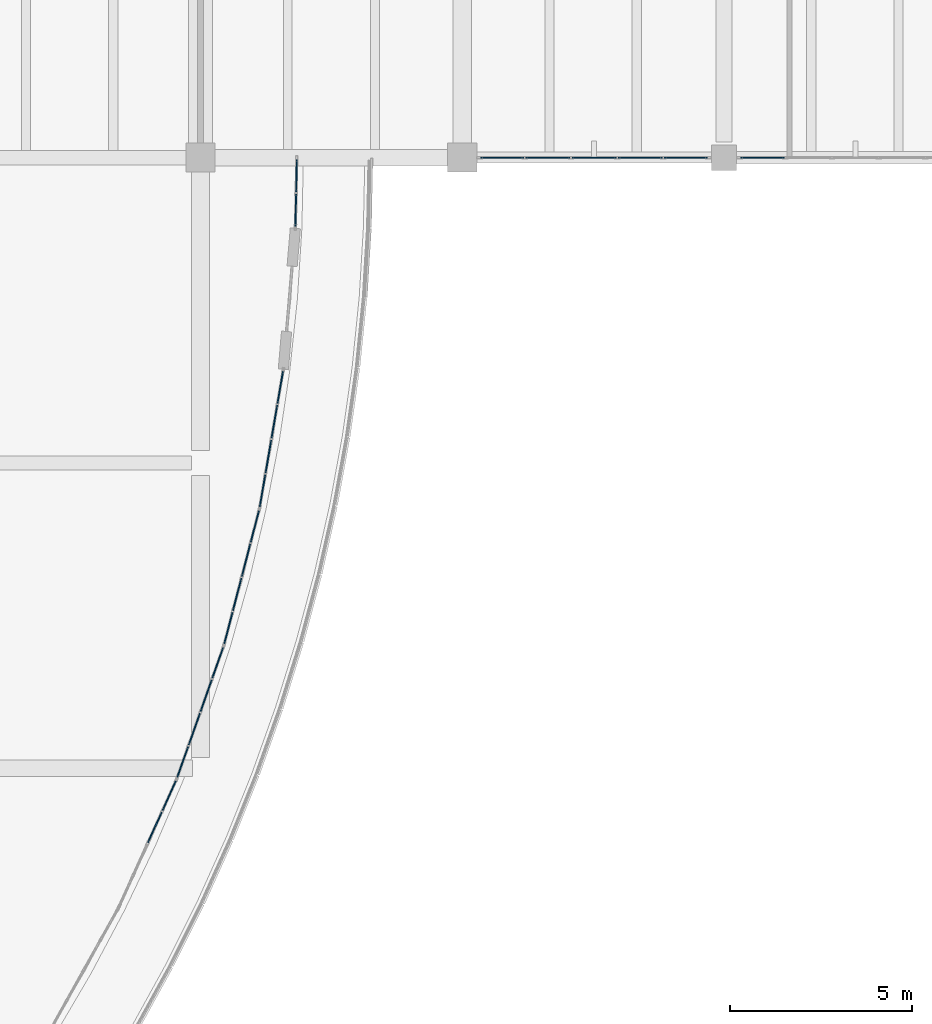
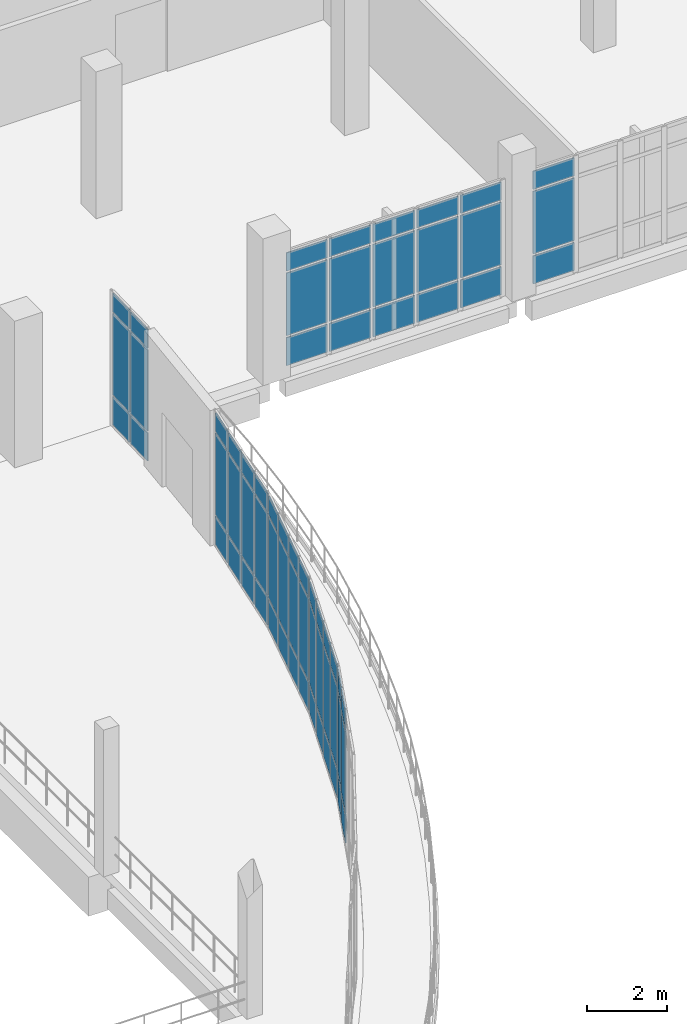
# One storey, part 96 of 116: 66 plates, 7 elements without a shape of their own.
"""IFC4 building model written with IfcOpenShell, lengths in metres."""

from ifc_helpers import new_model, si_unit, direction, frame, origin, origin_2d, place, context, subcontext, project, spatial, rectangle, extrude, material, layer, layer_set, type_object, element, aggregate, save


model = new_model("IFC4")

# Units and contexts
model_context = context("Model", 3, precision=1e-05, world=origin(), true_north=direction((0.0, 1.0)))
body_context = subcontext(model_context, "Body", "Model", "MODEL_VIEW")
ifc_project = project(units=[si_unit("LENGTHUNIT", "METRE"), si_unit("AREAUNIT", "SQUARE_METRE"), si_unit("VOLUMEUNIT", "CUBIC_METRE"), si_unit("PLANEANGLEUNIT", "RADIAN"), si_unit("MASSUNIT", "GRAM", prefix="KILO")], contexts=[model_context])

# Site, building, storey
site_placement = place(None, origin())
site = spatial("IfcSite", under=ifc_project, at=site_placement, CompositionType="ELEMENT")
building_placement = place(site_placement, origin())
building = spatial("IfcBuilding", under=site, at=building_placement, Name="Kalluvel Institute of Natural Sciences", CompositionType="ELEMENT")
storey_placement = place(building_placement, frame((0.0, 0.0, 14.39990234375)))
storey = spatial("IfcBuildingStorey", under=building, at=storey_placement, Name="L03", CompositionType="ELEMENT", Elevation=14.39990234375)

# Curtain wall, plates
ifc_material_1 = material(Name="Aluminium AW-6063 T6", Category="aluminium")
curtain_wall_type_1 = type_object("IfcCurtainWallType", Name="CW-WET-45", PredefinedType="USERDEFINED", material=ifc_material_1)
curtain_wall_1_placement = place(storey_placement, origin())
curtain_wall_1 = element("IfcCurtainWall", 1, at=curtain_wall_1_placement, inside=storey, type_object=curtain_wall_type_1, Name="L03 Gothic lancet curtain wall CWA-L03-X864-Y1028", ObjectType="UNITISED LANCET FACADE", PredefinedType="USERDEFINED")
ifc_material_2 = material(Name="Solar-Control Low-E Laminated Glass", Category="glass")
ifc_layer_1 = layer(ifc_material_2, 0.028076171875)
ifc_layer_set_1 = layer_set([ifc_layer_1], Name="Solar-Control Low-E Laminated Glass")
plate_type_1 = type_object("IfcPlateType", Name="CWP-DGU-28", PredefinedType="CURTAIN_PANEL", material=ifc_layer_set_1)
plate_1_placement = place(storey_placement, frame((87.10009765625, 102.800048828125, 0.06005859375), z_axis=(0.0, 0.0, 1.0), x_axis=(1.0, 0.0, 0.0)))
plate_1 = element("IfcPlate", 2, at=plate_1_placement, type_object=plate_type_1, Name="CW-01 panel 1.1", PredefinedType="CURTAIN_PANEL", context=body_context, shape_type="SweptSolid", body=[
    extrude(rectangle(XDim=1.179931640625, YDim=0.028076171875, at=origin_2d()), origin(), (0.0, 0.0, 1.0), 0.860107421875),
])
plate_2_placement = place(storey_placement, frame((87.10009765625, 102.800048828125, 0.980224609375), z_axis=(0.0, 0.0, 1.0), x_axis=(1.0, 0.0, 0.0)))
plate_2 = element("IfcPlate", 3, at=plate_2_placement, type_object=plate_type_1, Name="CW-01 panel 1.2", PredefinedType="CURTAIN_PANEL", context=body_context, shape_type="SweptSolid", body=[
    extrude(rectangle(XDim=1.179931640625, YDim=0.028076171875, at=origin_2d()), origin(), (0.0, 0.0, 1.0), 1.919921875),
])
plate_3_placement = place(storey_placement, frame((87.10009765625, 102.800048828125, 2.9599609375), z_axis=(0.0, 0.0, 1.0), x_axis=(1.0, 0.0, 0.0)))
plate_3 = element("IfcPlate", 4, at=plate_3_placement, type_object=plate_type_1, Name="CW-01 panel 1.3", PredefinedType="CURTAIN_PANEL", context=body_context, shape_type="SweptSolid", body=[
    extrude(rectangle(XDim=1.179931640625, YDim=0.028076171875, at=origin_2d()), origin(), (0.0, 0.0, 1.0), 0.56005859375),
])
plate_4_placement = place(storey_placement, frame((88.35498046875, 102.800048828125, 0.06005859375), z_axis=(0.0, 0.0, 1.0), x_axis=(1.0, 0.0, 0.0)))
plate_4 = element("IfcPlate", 5, at=plate_4_placement, type_object=plate_type_1, Name="CW-01 panel 2.1", PredefinedType="CURTAIN_PANEL", context=body_context, shape_type="SweptSolid", body=[
    extrude(rectangle(XDim=1.2099609375, YDim=0.028076171875, at=origin_2d()), origin(), (0.0, 0.0, 1.0), 0.860107421875),
])
plate_5_placement = place(storey_placement, frame((88.35498046875, 102.800048828125, 0.980224609375), z_axis=(0.0, 0.0, 1.0), x_axis=(1.0, 0.0, 0.0)))
plate_5 = element("IfcPlate", 6, at=plate_5_placement, type_object=plate_type_1, Name="CW-01 panel 2.2", PredefinedType="CURTAIN_PANEL", context=body_context, shape_type="SweptSolid", body=[
    extrude(rectangle(XDim=1.2099609375, YDim=0.028076171875, at=origin_2d()), origin(), (0.0, 0.0, 1.0), 1.919921875),
])
plate_6_placement = place(storey_placement, frame((88.35498046875, 102.800048828125, 2.9599609375), z_axis=(0.0, 0.0, 1.0), x_axis=(1.0, 0.0, 0.0)))
plate_6 = element("IfcPlate", 7, at=plate_6_placement, type_object=plate_type_1, Name="CW-01 panel 2.3", PredefinedType="CURTAIN_PANEL", context=body_context, shape_type="SweptSolid", body=[
    extrude(rectangle(XDim=1.2099609375, YDim=0.028076171875, at=origin_2d()), origin(), (0.0, 0.0, 1.0), 0.56005859375),
])
plate_7_placement = place(storey_placement, frame((89.625, 102.800048828125, 0.06005859375), z_axis=(0.0, 0.0, 1.0), x_axis=(1.0, 0.0, 0.0)))
plate_7 = element("IfcPlate", 8, at=plate_7_placement, type_object=plate_type_1, Name="CW-01 panel 3.1", PredefinedType="CURTAIN_PANEL", context=body_context, shape_type="SweptSolid", body=[
    extrude(rectangle(XDim=1.2099609375, YDim=0.028076171875, at=origin_2d()), origin(), (0.0, 0.0, 1.0), 0.860107421875),
])
plate_8_placement = place(storey_placement, frame((89.625, 102.800048828125, 0.980224609375), z_axis=(0.0, 0.0, 1.0), x_axis=(1.0, 0.0, 0.0)))
plate_8 = element("IfcPlate", 9, at=plate_8_placement, type_object=plate_type_1, Name="CW-01 panel 3.2", PredefinedType="CURTAIN_PANEL", context=body_context, shape_type="SweptSolid", body=[
    extrude(rectangle(XDim=1.2099609375, YDim=0.028076171875, at=origin_2d()), origin(), (0.0, 0.0, 1.0), 1.919921875),
])
plate_9_placement = place(storey_placement, frame((89.625, 102.800048828125, 2.9599609375), z_axis=(0.0, 0.0, 1.0), x_axis=(1.0, 0.0, 0.0)))
plate_9 = element("IfcPlate", 10, at=plate_9_placement, type_object=plate_type_1, Name="CW-01 panel 3.3", PredefinedType="CURTAIN_PANEL", context=body_context, shape_type="SweptSolid", body=[
    extrude(rectangle(XDim=1.2099609375, YDim=0.028076171875, at=origin_2d()), origin(), (0.0, 0.0, 1.0), 0.56005859375),
])
plate_10_placement = place(storey_placement, frame((90.89501953125, 102.800048828125, 0.06005859375), z_axis=(0.0, 0.0, 1.0), x_axis=(1.0, 0.0, 0.0)))
plate_10 = element("IfcPlate", 11, at=plate_10_placement, type_object=plate_type_1, Name="CW-01 panel 4.1", PredefinedType="CURTAIN_PANEL", context=body_context, shape_type="SweptSolid", body=[
    extrude(rectangle(XDim=1.2099609375, YDim=0.028076171875, at=origin_2d()), origin(), (0.0, 0.0, 1.0), 0.860107421875),
])
plate_11_placement = place(storey_placement, frame((90.89501953125, 102.800048828125, 0.980224609375), z_axis=(0.0, 0.0, 1.0), x_axis=(1.0, 0.0, 0.0)))
plate_11 = element("IfcPlate", 12, at=plate_11_placement, type_object=plate_type_1, Name="CW-01 panel 4.2", PredefinedType="CURTAIN_PANEL", context=body_context, shape_type="SweptSolid", body=[
    extrude(rectangle(XDim=1.2099609375, YDim=0.028076171875, at=origin_2d()), origin(), (0.0, 0.0, 1.0), 1.919921875),
])
plate_12_placement = place(storey_placement, frame((90.89501953125, 102.800048828125, 2.9599609375), z_axis=(0.0, 0.0, 1.0), x_axis=(1.0, 0.0, 0.0)))
plate_12 = element("IfcPlate", 13, at=plate_12_placement, type_object=plate_type_1, Name="CW-01 panel 4.3", PredefinedType="CURTAIN_PANEL", context=body_context, shape_type="SweptSolid", body=[
    extrude(rectangle(XDim=1.2099609375, YDim=0.028076171875, at=origin_2d()), origin(), (0.0, 0.0, 1.0), 0.56005859375),
])
plate_13_placement = place(storey_placement, frame((92.14990234375, 102.800048828125, 0.06005859375), z_axis=(0.0, 0.0, 1.0), x_axis=(1.0, 0.0, 0.0)))
plate_13 = element("IfcPlate", 14, at=plate_13_placement, type_object=plate_type_1, Name="CW-01 panel 5.1", PredefinedType="CURTAIN_PANEL", context=body_context, shape_type="SweptSolid", body=[
    extrude(rectangle(XDim=1.179931640625, YDim=0.028076171875, at=origin_2d()), origin(), (0.0, 0.0, 1.0), 0.860107421875),
])
plate_14_placement = place(storey_placement, frame((92.14990234375, 102.800048828125, 0.980224609375), z_axis=(0.0, 0.0, 1.0), x_axis=(1.0, 0.0, 0.0)))
plate_14 = element("IfcPlate", 15, at=plate_14_placement, type_object=plate_type_1, Name="CW-01 panel 5.2", PredefinedType="CURTAIN_PANEL", context=body_context, shape_type="SweptSolid", body=[
    extrude(rectangle(XDim=1.179931640625, YDim=0.028076171875, at=origin_2d()), origin(), (0.0, 0.0, 1.0), 1.919921875),
])
plate_15_placement = place(storey_placement, frame((92.14990234375, 102.800048828125, 2.9599609375), z_axis=(0.0, 0.0, 1.0), x_axis=(1.0, 0.0, 0.0)))
plate_15 = element("IfcPlate", 16, at=plate_15_placement, type_object=plate_type_1, Name="CW-01 panel 5.3", PredefinedType="CURTAIN_PANEL", context=body_context, shape_type="SweptSolid", body=[
    extrude(rectangle(XDim=1.179931640625, YDim=0.028076171875, at=origin_2d()), origin(), (0.0, 0.0, 1.0), 0.56005859375),
])
aggregate(curtain_wall_1, [plate_1, plate_2, plate_3, plate_4, plate_5, plate_6, plate_7, plate_8, plate_9, plate_10, plate_11, plate_12, plate_13, plate_14, plate_15])

curtain_wall_2_placement = place(storey_placement, origin())
curtain_wall_2 = element("IfcCurtainWall", 17, at=curtain_wall_2_placement, inside=storey, type_object=curtain_wall_type_1, Name="L03 Gothic lancet curtain wall CWA-L03-X936-Y1028", ObjectType="UNITISED LANCET FACADE", PredefinedType="USERDEFINED")
plate_16_placement = place(storey_placement, frame((94.257568359375, 102.800048828125, 0.06005859375), z_axis=(0.0, 0.0, 1.0), x_axis=(1.0, 0.0, 0.0)))
plate_16 = element("IfcPlate", 18, at=plate_16_placement, type_object=plate_type_1, Name="CW-01 panel 1.1", PredefinedType="CURTAIN_PANEL", context=body_context, shape_type="SweptSolid", body=[
    extrude(rectangle(XDim=1.195068359375, YDim=0.028076171875, at=origin_2d()), origin(), (0.0, 0.0, 1.0), 0.860107421875),
])
plate_17_placement = place(storey_placement, frame((94.257568359375, 102.800048828125, 0.980224609375), z_axis=(0.0, 0.0, 1.0), x_axis=(1.0, 0.0, 0.0)))
plate_17 = element("IfcPlate", 19, at=plate_17_placement, type_object=plate_type_1, Name="CW-01 panel 1.2", PredefinedType="CURTAIN_PANEL", context=body_context, shape_type="SweptSolid", body=[
    extrude(rectangle(XDim=1.195068359375, YDim=0.028076171875, at=origin_2d()), origin(), (0.0, 0.0, 1.0), 1.919921875),
])
plate_18_placement = place(storey_placement, frame((94.257568359375, 102.800048828125, 2.9599609375), z_axis=(0.0, 0.0, 1.0), x_axis=(1.0, 0.0, 0.0)))
plate_18 = element("IfcPlate", 20, at=plate_18_placement, type_object=plate_type_1, Name="CW-01 panel 1.3", PredefinedType="CURTAIN_PANEL", context=body_context, shape_type="SweptSolid", body=[
    extrude(rectangle(XDim=1.195068359375, YDim=0.028076171875, at=origin_2d()), origin(), (0.0, 0.0, 1.0), 0.56005859375),
])
aggregate(curtain_wall_2, [plate_16, plate_17, plate_18])

curtain_wall_type_2 = type_object("IfcCurtainWallType", Name="CW-ATR-ARC", PredefinedType="USERDEFINED", material=ifc_material_1)
curtain_wall_3_placement = place(storey_placement, origin())
curtain_wall_3 = element("IfcCurtainWall", 21, at=curtain_wall_3_placement, inside=storey, type_object=curtain_wall_type_2, Name="L03 Gothic lancet curtain wall CWA-L03-X765-Y822", ObjectType="UNITISED LANCET FACADE", PredefinedType="USERDEFINED")
ifc_layer_2 = layer(ifc_material_2, 0.035888671875)
ifc_layer_set_2 = layer_set([ifc_layer_2], Name="Solar-Control Low-E Laminated Glass")
plate_type_2 = type_object("IfcPlateType", Name="CWP-DGU-36", PredefinedType="CURTAIN_PANEL", material=ifc_layer_set_2)
plate_19_placement = place(storey_placement, frame((77.54248046875, 84.374755859375, 0.06005859375), z_axis=(0.0, 0.0, 1.0), x_axis=(0.411895130891, 0.911231255581, 0.0)))
plate_19 = element("IfcPlate", 22, at=plate_19_placement, type_object=plate_type_2, Name="CW-05 panel 3.1", PredefinedType="CURTAIN_PANEL", context=body_context, shape_type="SweptSolid", body=[
    extrude(rectangle(XDim=0.912841796875, YDim=0.035888671875, at=origin_2d()), origin(), (0.0, 0.0, 1.0), 0.860107421875),
])
plate_20_placement = place(storey_placement, frame((77.54248046875, 84.374755859375, 0.97998046875), z_axis=(0.0, 0.0, 1.0), x_axis=(0.411895130891, 0.911231255581, 0.0)))
plate_20 = element("IfcPlate", 23, at=plate_20_placement, type_object=plate_type_2, Name="CW-05 panel 3.2", PredefinedType="CURTAIN_PANEL", context=body_context, shape_type="SweptSolid", body=[
    extrude(rectangle(XDim=0.912841796875, YDim=0.035888671875, at=origin_2d()), origin(), (0.0, 0.0, 1.0), 2.489990234375),
])
plate_21_placement = place(storey_placement, frame((77.54248046875, 84.374755859375, 3.530029296875), z_axis=(0.0, 0.0, 1.0), x_axis=(0.411895130891, 0.911231255581, 0.0)))
plate_21 = element("IfcPlate", 24, at=plate_21_placement, type_object=plate_type_2, Name="CW-05 panel 3.3", PredefinedType="CURTAIN_PANEL", context=body_context, shape_type="SweptSolid", body=[
    extrude(rectangle(XDim=0.912841796875, YDim=0.035888671875, at=origin_2d()), origin(), (0.0, 0.0, 1.0), 0.56005859375),
])
plate_22_placement = place(storey_placement, frame((77.937255859375, 85.24755859375, 0.06005859375), z_axis=(0.0, 0.0, 1.0), x_axis=(0.411895130891, 0.911231255581, 0.0)))
plate_22 = element("IfcPlate", 25, at=plate_22_placement, type_object=plate_type_2, Name="CW-05 panel 4.1", PredefinedType="CURTAIN_PANEL", context=body_context, shape_type="SweptSolid", body=[
    extrude(rectangle(XDim=0.883056640625, YDim=0.035888671875, at=origin_2d()), origin(), (0.0, 0.0, 1.0), 0.860107421875),
])
plate_23_placement = place(storey_placement, frame((77.937255859375, 85.24755859375, 0.97998046875), z_axis=(0.0, 0.0, 1.0), x_axis=(0.411895130891, 0.911231255581, 0.0)))
plate_23 = element("IfcPlate", 26, at=plate_23_placement, type_object=plate_type_2, Name="CW-05 panel 4.2", PredefinedType="CURTAIN_PANEL", context=body_context, shape_type="SweptSolid", body=[
    extrude(rectangle(XDim=0.883056640625, YDim=0.035888671875, at=origin_2d()), origin(), (0.0, 0.0, 1.0), 2.489990234375),
])
plate_24_placement = place(storey_placement, frame((77.937255859375, 85.24755859375, 3.530029296875), z_axis=(0.0, 0.0, 1.0), x_axis=(0.411895130891, 0.911231255581, 0.0)))
plate_24 = element("IfcPlate", 27, at=plate_24_placement, type_object=plate_type_2, Name="CW-05 panel 4.3", PredefinedType="CURTAIN_PANEL", context=body_context, shape_type="SweptSolid", body=[
    extrude(rectangle(XDim=0.883056640625, YDim=0.035888671875, at=origin_2d()), origin(), (0.0, 0.0, 1.0), 0.56005859375),
])
aggregate(curtain_wall_3, [plate_19, plate_20, plate_21, plate_22, plate_23, plate_24])

curtain_wall_4_placement = place(storey_placement, origin())
curtain_wall_4 = element("IfcCurtainWall", 28, at=curtain_wall_4_placement, inside=storey, type_object=curtain_wall_type_2, Name="L03 Gothic lancet curtain wall CWA-L03-X781-Y857", ObjectType="UNITISED LANCET FACADE", PredefinedType="USERDEFINED")
plate_25_placement = place(storey_placement, frame((78.310791015625, 86.17724609375, 0.06005859375), z_axis=(0.0, 0.0, 1.0), x_axis=(0.333127879381, 0.942881655341, 0.0)))
plate_25 = element("IfcPlate", 29, at=plate_25_placement, type_object=plate_type_2, Name="CW-05 panel 1.1", PredefinedType="CURTAIN_PANEL", context=body_context, shape_type="SweptSolid", body=[
    extrude(rectangle(XDim=0.883056640625, YDim=0.035888671875, at=origin_2d()), origin(), (0.0, 0.0, 1.0), 0.860107421875),
])
plate_26_placement = place(storey_placement, frame((78.310791015625, 86.17724609375, 0.97998046875), z_axis=(0.0, 0.0, 1.0), x_axis=(0.333127879381, 0.942881655341, 0.0)))
plate_26 = element("IfcPlate", 30, at=plate_26_placement, type_object=plate_type_2, Name="CW-05 panel 1.2", PredefinedType="CURTAIN_PANEL", context=body_context, shape_type="SweptSolid", body=[
    extrude(rectangle(XDim=0.883056640625, YDim=0.035888671875, at=origin_2d()), origin(), (0.0, 0.0, 1.0), 2.489990234375),
])
plate_27_placement = place(storey_placement, frame((78.310791015625, 86.17724609375, 3.530029296875), z_axis=(0.0, 0.0, 1.0), x_axis=(0.333127879381, 0.942881655341, 0.0)))
plate_27 = element("IfcPlate", 31, at=plate_27_placement, type_object=plate_type_2, Name="CW-05 panel 1.3", PredefinedType="CURTAIN_PANEL", context=body_context, shape_type="SweptSolid", body=[
    extrude(rectangle(XDim=0.883056640625, YDim=0.035888671875, at=origin_2d()), origin(), (0.0, 0.0, 1.0), 0.56005859375),
])
plate_28_placement = place(storey_placement, frame((78.6298828125, 87.08056640625, 0.06005859375), z_axis=(0.0, 0.0, 1.0), x_axis=(0.333127879381, 0.942881655341, 0.0)))
plate_28 = element("IfcPlate", 32, at=plate_28_placement, type_object=plate_type_2, Name="CW-05 panel 2.1", PredefinedType="CURTAIN_PANEL", context=body_context, shape_type="SweptSolid", body=[
    extrude(rectangle(XDim=0.9130859375, YDim=0.035888671875, at=origin_2d()), origin(), (0.0, 0.0, 1.0), 0.860107421875),
])
plate_29_placement = place(storey_placement, frame((78.6298828125, 87.08056640625, 0.97998046875), z_axis=(0.0, 0.0, 1.0), x_axis=(0.333127879381, 0.942881655341, 0.0)))
plate_29 = element("IfcPlate", 33, at=plate_29_placement, type_object=plate_type_2, Name="CW-05 panel 2.2", PredefinedType="CURTAIN_PANEL", context=body_context, shape_type="SweptSolid", body=[
    extrude(rectangle(XDim=0.9130859375, YDim=0.035888671875, at=origin_2d()), origin(), (0.0, 0.0, 1.0), 2.489990234375),
])
plate_30_placement = place(storey_placement, frame((78.6298828125, 87.08056640625, 3.530029296875), z_axis=(0.0, 0.0, 1.0), x_axis=(0.333127879381, 0.942881655341, 0.0)))
plate_30 = element("IfcPlate", 34, at=plate_30_placement, type_object=plate_type_2, Name="CW-05 panel 2.3", PredefinedType="CURTAIN_PANEL", context=body_context, shape_type="SweptSolid", body=[
    extrude(rectangle(XDim=0.9130859375, YDim=0.035888671875, at=origin_2d()), origin(), (0.0, 0.0, 1.0), 0.56005859375),
])
plate_31_placement = place(storey_placement, frame((78.9541015625, 87.998046875, 0.06005859375), z_axis=(0.0, 0.0, 1.0), x_axis=(0.333127879381, 0.942881655341, 0.0)))
plate_31 = element("IfcPlate", 35, at=plate_31_placement, type_object=plate_type_2, Name="CW-05 panel 3.1", PredefinedType="CURTAIN_PANEL", context=body_context, shape_type="SweptSolid", body=[
    extrude(rectangle(XDim=0.9130859375, YDim=0.035888671875, at=origin_2d()), origin(), (0.0, 0.0, 1.0), 0.860107421875),
])
plate_32_placement = place(storey_placement, frame((78.9541015625, 87.998046875, 0.97998046875), z_axis=(0.0, 0.0, 1.0), x_axis=(0.333127879381, 0.942881655341, 0.0)))
plate_32 = element("IfcPlate", 36, at=plate_32_placement, type_object=plate_type_2, Name="CW-05 panel 3.2", PredefinedType="CURTAIN_PANEL", context=body_context, shape_type="SweptSolid", body=[
    extrude(rectangle(XDim=0.9130859375, YDim=0.035888671875, at=origin_2d()), origin(), (0.0, 0.0, 1.0), 2.489990234375),
])
plate_33_placement = place(storey_placement, frame((78.9541015625, 87.998046875, 3.530029296875), z_axis=(0.0, 0.0, 1.0), x_axis=(0.333127879381, 0.942881655341, 0.0)))
plate_33 = element("IfcPlate", 37, at=plate_33_placement, type_object=plate_type_2, Name="CW-05 panel 3.3", PredefinedType="CURTAIN_PANEL", context=body_context, shape_type="SweptSolid", body=[
    extrude(rectangle(XDim=0.9130859375, YDim=0.035888671875, at=origin_2d()), origin(), (0.0, 0.0, 1.0), 0.56005859375),
])
plate_34_placement = place(storey_placement, frame((79.273193359375, 88.9013671875, 0.06005859375), z_axis=(0.0, 0.0, 1.0), x_axis=(0.333127879381, 0.942881655341, 0.0)))
plate_34 = element("IfcPlate", 38, at=plate_34_placement, type_object=plate_type_2, Name="CW-05 panel 4.1", PredefinedType="CURTAIN_PANEL", context=body_context, shape_type="SweptSolid", body=[
    extrude(rectangle(XDim=0.883056640625, YDim=0.035888671875, at=origin_2d()), origin(), (0.0, 0.0, 1.0), 0.860107421875),
])
plate_35_placement = place(storey_placement, frame((79.273193359375, 88.9013671875, 0.97998046875), z_axis=(0.0, 0.0, 1.0), x_axis=(0.333127879381, 0.942881655341, 0.0)))
plate_35 = element("IfcPlate", 39, at=plate_35_placement, type_object=plate_type_2, Name="CW-05 panel 4.2", PredefinedType="CURTAIN_PANEL", context=body_context, shape_type="SweptSolid", body=[
    extrude(rectangle(XDim=0.883056640625, YDim=0.035888671875, at=origin_2d()), origin(), (0.0, 0.0, 1.0), 2.489990234375),
])
plate_36_placement = place(storey_placement, frame((79.273193359375, 88.9013671875, 3.530029296875), z_axis=(0.0, 0.0, 1.0), x_axis=(0.333127879381, 0.942881655341, 0.0)))
plate_36 = element("IfcPlate", 40, at=plate_36_placement, type_object=plate_type_2, Name="CW-05 panel 4.3", PredefinedType="CURTAIN_PANEL", context=body_context, shape_type="SweptSolid", body=[
    extrude(rectangle(XDim=0.883056640625, YDim=0.035888671875, at=origin_2d()), origin(), (0.0, 0.0, 1.0), 0.56005859375),
])
aggregate(curtain_wall_4, [plate_25, plate_26, plate_27, plate_28, plate_29, plate_30, plate_31, plate_32, plate_33, plate_34, plate_35, plate_36])

curtain_wall_5_placement = place(storey_placement, origin())
curtain_wall_5 = element("IfcCurtainWall", 41, at=curtain_wall_5_placement, inside=storey, type_object=curtain_wall_type_2, Name="L03 Gothic lancet curtain wall CWA-L03-X794-Y894", ObjectType="UNITISED LANCET FACADE", PredefinedType="USERDEFINED")
plate_37_placement = place(storey_placement, frame((79.566650390625, 89.859375, 0.06005859375), z_axis=(0.0, 0.0, 1.0), x_axis=(0.251985702123, 0.967730957408, 0.0)))
plate_37 = element("IfcPlate", 42, at=plate_37_placement, type_object=plate_type_2, Name="CW-05 panel 1.1", PredefinedType="CURTAIN_PANEL", context=body_context, shape_type="SweptSolid", body=[
    extrude(rectangle(XDim=0.883056640625, YDim=0.035888671875, at=origin_2d()), origin(), (0.0, 0.0, 1.0), 0.860107421875),
])
plate_38_placement = place(storey_placement, frame((79.566650390625, 89.859375, 0.97998046875), z_axis=(0.0, 0.0, 1.0), x_axis=(0.251985702123, 0.967730957408, 0.0)))
plate_38 = element("IfcPlate", 43, at=plate_38_placement, type_object=plate_type_2, Name="CW-05 panel 1.2", PredefinedType="CURTAIN_PANEL", context=body_context, shape_type="SweptSolid", body=[
    extrude(rectangle(XDim=0.883056640625, YDim=0.035888671875, at=origin_2d()), origin(), (0.0, 0.0, 1.0), 2.489990234375),
])
plate_39_placement = place(storey_placement, frame((79.566650390625, 89.859375, 3.530029296875), z_axis=(0.0, 0.0, 1.0), x_axis=(0.251985702123, 0.967730957408, 0.0)))
plate_39 = element("IfcPlate", 44, at=plate_39_placement, type_object=plate_type_2, Name="CW-05 panel 1.3", PredefinedType="CURTAIN_PANEL", context=body_context, shape_type="SweptSolid", body=[
    extrude(rectangle(XDim=0.883056640625, YDim=0.035888671875, at=origin_2d()), origin(), (0.0, 0.0, 1.0), 0.56005859375),
])
plate_40_placement = place(storey_placement, frame((79.807861328125, 90.786376953125, 0.06005859375), z_axis=(0.0, 0.0, 1.0), x_axis=(0.251985702123, 0.967730957408, 0.0)))
plate_40 = element("IfcPlate", 45, at=plate_40_placement, type_object=plate_type_2, Name="CW-05 panel 2.1", PredefinedType="CURTAIN_PANEL", context=body_context, shape_type="SweptSolid", body=[
    extrude(rectangle(XDim=0.9130859375, YDim=0.035888671875, at=origin_2d()), origin(), (0.0, 0.0, 1.0), 0.860107421875),
])
plate_41_placement = place(storey_placement, frame((79.807861328125, 90.786376953125, 0.97998046875), z_axis=(0.0, 0.0, 1.0), x_axis=(0.251985702123, 0.967730957408, 0.0)))
plate_41 = element("IfcPlate", 46, at=plate_41_placement, type_object=plate_type_2, Name="CW-05 panel 2.2", PredefinedType="CURTAIN_PANEL", context=body_context, shape_type="SweptSolid", body=[
    extrude(rectangle(XDim=0.9130859375, YDim=0.035888671875, at=origin_2d()), origin(), (0.0, 0.0, 1.0), 2.489990234375),
])
plate_42_placement = place(storey_placement, frame((79.807861328125, 90.786376953125, 3.530029296875), z_axis=(0.0, 0.0, 1.0), x_axis=(0.251985702123, 0.967730957408, 0.0)))
plate_42 = element("IfcPlate", 47, at=plate_42_placement, type_object=plate_type_2, Name="CW-05 panel 2.3", PredefinedType="CURTAIN_PANEL", context=body_context, shape_type="SweptSolid", body=[
    extrude(rectangle(XDim=0.9130859375, YDim=0.035888671875, at=origin_2d()), origin(), (0.0, 0.0, 1.0), 0.56005859375),
])
plate_43_placement = place(storey_placement, frame((80.05322265625, 91.72802734375, 0.06005859375), z_axis=(0.0, 0.0, 1.0), x_axis=(0.251985702123, 0.967730957408, 0.0)))
plate_43 = element("IfcPlate", 48, at=plate_43_placement, type_object=plate_type_2, Name="CW-05 panel 3.1", PredefinedType="CURTAIN_PANEL", context=body_context, shape_type="SweptSolid", body=[
    extrude(rectangle(XDim=0.9130859375, YDim=0.035888671875, at=origin_2d()), origin(), (0.0, 0.0, 1.0), 0.860107421875),
])
plate_44_placement = place(storey_placement, frame((80.05322265625, 91.72802734375, 0.97998046875), z_axis=(0.0, 0.0, 1.0), x_axis=(0.251985702123, 0.967730957408, 0.0)))
plate_44 = element("IfcPlate", 49, at=plate_44_placement, type_object=plate_type_2, Name="CW-05 panel 3.2", PredefinedType="CURTAIN_PANEL", context=body_context, shape_type="SweptSolid", body=[
    extrude(rectangle(XDim=0.9130859375, YDim=0.035888671875, at=origin_2d()), origin(), (0.0, 0.0, 1.0), 2.489990234375),
])
plate_45_placement = place(storey_placement, frame((80.05322265625, 91.72802734375, 3.530029296875), z_axis=(0.0, 0.0, 1.0), x_axis=(0.251985702123, 0.967730957408, 0.0)))
plate_45 = element("IfcPlate", 50, at=plate_45_placement, type_object=plate_type_2, Name="CW-05 panel 3.3", PredefinedType="CURTAIN_PANEL", context=body_context, shape_type="SweptSolid", body=[
    extrude(rectangle(XDim=0.9130859375, YDim=0.035888671875, at=origin_2d()), origin(), (0.0, 0.0, 1.0), 0.56005859375),
])
plate_46_placement = place(storey_placement, frame((80.29443359375, 92.655029296875, 0.06005859375), z_axis=(0.0, 0.0, 1.0), x_axis=(0.251985702123, 0.967730957408, 0.0)))
plate_46 = element("IfcPlate", 51, at=plate_46_placement, type_object=plate_type_2, Name="CW-05 panel 4.1", PredefinedType="CURTAIN_PANEL", context=body_context, shape_type="SweptSolid", body=[
    extrude(rectangle(XDim=0.883056640625, YDim=0.035888671875, at=origin_2d()), origin(), (0.0, 0.0, 1.0), 0.860107421875),
])
plate_47_placement = place(storey_placement, frame((80.29443359375, 92.655029296875, 0.97998046875), z_axis=(0.0, 0.0, 1.0), x_axis=(0.251985702123, 0.967730957408, 0.0)))
plate_47 = element("IfcPlate", 52, at=plate_47_placement, type_object=plate_type_2, Name="CW-05 panel 4.2", PredefinedType="CURTAIN_PANEL", context=body_context, shape_type="SweptSolid", body=[
    extrude(rectangle(XDim=0.883056640625, YDim=0.035888671875, at=origin_2d()), origin(), (0.0, 0.0, 1.0), 2.489990234375),
])
plate_48_placement = place(storey_placement, frame((80.29443359375, 92.655029296875, 3.530029296875), z_axis=(0.0, 0.0, 1.0), x_axis=(0.251985702123, 0.967730957408, 0.0)))
plate_48 = element("IfcPlate", 53, at=plate_48_placement, type_object=plate_type_2, Name="CW-05 panel 4.3", PredefinedType="CURTAIN_PANEL", context=body_context, shape_type="SweptSolid", body=[
    extrude(rectangle(XDim=0.883056640625, YDim=0.035888671875, at=origin_2d()), origin(), (0.0, 0.0, 1.0), 0.56005859375),
])
aggregate(curtain_wall_5, [plate_37, plate_38, plate_39, plate_40, plate_41, plate_42, plate_43, plate_44, plate_45, plate_46, plate_47, plate_48])

curtain_wall_6_placement = place(storey_placement, origin())
curtain_wall_6 = element("IfcCurtainWall", 54, at=curtain_wall_6_placement, inside=storey, type_object=curtain_wall_type_2, Name="L03 Gothic lancet curtain wall CWA-L03-X804-Y931", ObjectType="UNITISED LANCET FACADE", PredefinedType="USERDEFINED")
plate_49_placement = place(storey_placement, frame((80.505615234375, 93.634765625, 0.06005859375), z_axis=(0.0, 0.0, 1.0), x_axis=(0.168997334927, 0.985616507972, 0.0)))
plate_49 = element("IfcPlate", 55, at=plate_49_placement, type_object=plate_type_2, Name="CW-05 panel 1.1", PredefinedType="CURTAIN_PANEL", context=body_context, shape_type="SweptSolid", body=[
    extrude(rectangle(XDim=0.883056640625, YDim=0.035888671875, at=origin_2d()), origin(), (0.0, 0.0, 1.0), 0.860107421875),
])
plate_50_placement = place(storey_placement, frame((80.505615234375, 93.634765625, 0.97998046875), z_axis=(0.0, 0.0, 1.0), x_axis=(0.168997334927, 0.985616507972, 0.0)))
plate_50 = element("IfcPlate", 56, at=plate_50_placement, type_object=plate_type_2, Name="CW-05 panel 1.2", PredefinedType="CURTAIN_PANEL", context=body_context, shape_type="SweptSolid", body=[
    extrude(rectangle(XDim=0.883056640625, YDim=0.035888671875, at=origin_2d()), origin(), (0.0, 0.0, 1.0), 2.489990234375),
])
plate_51_placement = place(storey_placement, frame((80.505615234375, 93.634765625, 3.530029296875), z_axis=(0.0, 0.0, 1.0), x_axis=(0.168997334927, 0.985616507972, 0.0)))
plate_51 = element("IfcPlate", 57, at=plate_51_placement, type_object=plate_type_2, Name="CW-05 panel 1.3", PredefinedType="CURTAIN_PANEL", context=body_context, shape_type="SweptSolid", body=[
    extrude(rectangle(XDim=0.883056640625, YDim=0.035888671875, at=origin_2d()), origin(), (0.0, 0.0, 1.0), 0.56005859375),
])
plate_52_placement = place(storey_placement, frame((80.66748046875, 94.578857421875, 0.06005859375), z_axis=(0.0, 0.0, 1.0), x_axis=(0.168997334927, 0.985616507972, 0.0)))
plate_52 = element("IfcPlate", 58, at=plate_52_placement, type_object=plate_type_2, Name="CW-05 panel 2.1", PredefinedType="CURTAIN_PANEL", context=body_context, shape_type="SweptSolid", body=[
    extrude(rectangle(XDim=0.912841796875, YDim=0.035888671875, at=origin_2d()), origin(), (0.0, 0.0, 1.0), 0.860107421875),
])
plate_53_placement = place(storey_placement, frame((80.66748046875, 94.578857421875, 0.97998046875), z_axis=(0.0, 0.0, 1.0), x_axis=(0.168997334927, 0.985616507972, 0.0)))
plate_53 = element("IfcPlate", 59, at=plate_53_placement, type_object=plate_type_2, Name="CW-05 panel 2.2", PredefinedType="CURTAIN_PANEL", context=body_context, shape_type="SweptSolid", body=[
    extrude(rectangle(XDim=0.912841796875, YDim=0.035888671875, at=origin_2d()), origin(), (0.0, 0.0, 1.0), 2.489990234375),
])
plate_54_placement = place(storey_placement, frame((80.66748046875, 94.578857421875, 3.530029296875), z_axis=(0.0, 0.0, 1.0), x_axis=(0.168997334927, 0.985616507972, 0.0)))
plate_54 = element("IfcPlate", 60, at=plate_54_placement, type_object=plate_type_2, Name="CW-05 panel 2.3", PredefinedType="CURTAIN_PANEL", context=body_context, shape_type="SweptSolid", body=[
    extrude(rectangle(XDim=0.912841796875, YDim=0.035888671875, at=origin_2d()), origin(), (0.0, 0.0, 1.0), 0.56005859375),
])
plate_55_placement = place(storey_placement, frame((80.83203125, 95.537841796875, 0.06005859375), z_axis=(0.0, 0.0, 1.0), x_axis=(0.168997334927, 0.985616507972, 0.0)))
plate_55 = element("IfcPlate", 61, at=plate_55_placement, type_object=plate_type_2, Name="CW-05 panel 3.1", PredefinedType="CURTAIN_PANEL", context=body_context, shape_type="SweptSolid", body=[
    extrude(rectangle(XDim=0.912841796875, YDim=0.035888671875, at=origin_2d()), origin(), (0.0, 0.0, 1.0), 0.860107421875),
])
plate_56_placement = place(storey_placement, frame((80.83203125, 95.537841796875, 0.97998046875), z_axis=(0.0, 0.0, 1.0), x_axis=(0.168997334927, 0.985616507972, 0.0)))
plate_56 = element("IfcPlate", 62, at=plate_56_placement, type_object=plate_type_2, Name="CW-05 panel 3.2", PredefinedType="CURTAIN_PANEL", context=body_context, shape_type="SweptSolid", body=[
    extrude(rectangle(XDim=0.912841796875, YDim=0.035888671875, at=origin_2d()), origin(), (0.0, 0.0, 1.0), 2.489990234375),
])
plate_57_placement = place(storey_placement, frame((80.83203125, 95.537841796875, 3.530029296875), z_axis=(0.0, 0.0, 1.0), x_axis=(0.168997334927, 0.985616507972, 0.0)))
plate_57 = element("IfcPlate", 63, at=plate_57_placement, type_object=plate_type_2, Name="CW-05 panel 3.3", PredefinedType="CURTAIN_PANEL", context=body_context, shape_type="SweptSolid", body=[
    extrude(rectangle(XDim=0.912841796875, YDim=0.035888671875, at=origin_2d()), origin(), (0.0, 0.0, 1.0), 0.56005859375),
])
plate_58_placement = place(storey_placement, frame((80.993896484375, 96.48193359375, 0.06005859375), z_axis=(0.0, 0.0, 1.0), x_axis=(0.168997334927, 0.985616507972, 0.0)))
plate_58 = element("IfcPlate", 64, at=plate_58_placement, type_object=plate_type_2, Name="CW-05 panel 4.1", PredefinedType="CURTAIN_PANEL", context=body_context, shape_type="SweptSolid", body=[
    extrude(rectangle(XDim=0.883056640625, YDim=0.035888671875, at=origin_2d()), origin(), (0.0, 0.0, 1.0), 0.860107421875),
])
plate_59_placement = place(storey_placement, frame((80.993896484375, 96.48193359375, 0.97998046875), z_axis=(0.0, 0.0, 1.0), x_axis=(0.168997334927, 0.985616507972, 0.0)))
plate_59 = element("IfcPlate", 65, at=plate_59_placement, type_object=plate_type_2, Name="CW-05 panel 4.2", PredefinedType="CURTAIN_PANEL", context=body_context, shape_type="SweptSolid", body=[
    extrude(rectangle(XDim=0.883056640625, YDim=0.035888671875, at=origin_2d()), origin(), (0.0, 0.0, 1.0), 2.489990234375),
])
plate_60_placement = place(storey_placement, frame((80.993896484375, 96.48193359375, 3.530029296875), z_axis=(0.0, 0.0, 1.0), x_axis=(0.168997334927, 0.985616507972, 0.0)))
plate_60 = element("IfcPlate", 66, at=plate_60_placement, type_object=plate_type_2, Name="CW-05 panel 4.3", PredefinedType="CURTAIN_PANEL", context=body_context, shape_type="SweptSolid", body=[
    extrude(rectangle(XDim=0.883056640625, YDim=0.035888671875, at=origin_2d()), origin(), (0.0, 0.0, 1.0), 0.56005859375),
])
aggregate(curtain_wall_6, [plate_49, plate_50, plate_51, plate_52, plate_53, plate_54, plate_55, plate_56, plate_57, plate_58, plate_59, plate_60])

curtain_wall_7_placement = place(storey_placement, origin())
curtain_wall_7 = element("IfcCurtainWall", 67, at=curtain_wall_7_placement, inside=storey, type_object=curtain_wall_type_2, Name="L03 Gothic lancet curtain wall CWA-L03-X814-Y1009", ObjectType="UNITISED LANCET FACADE", PredefinedType="USERDEFINED")
plate_61_placement = place(storey_placement, frame((81.41943359375, 101.35546875, 0.06005859375), z_axis=(0.0, 0.0, 1.0), x_axis=(0.021219333514, 0.999774844595, 0.0)))
plate_61 = element("IfcPlate", 68, at=plate_61_placement, type_object=plate_type_2, Name="CW-05 panel 1.1", PredefinedType="CURTAIN_PANEL", context=body_context, shape_type="SweptSolid", body=[
    extrude(rectangle(XDim=0.883056640625, YDim=0.035888671875, at=origin_2d()), origin(), (0.0, 0.0, 1.0), 0.860107421875),
])
plate_62_placement = place(storey_placement, frame((81.41943359375, 101.35546875, 0.97998046875), z_axis=(0.0, 0.0, 1.0), x_axis=(0.021219333514, 0.999774844595, 0.0)))
plate_62 = element("IfcPlate", 69, at=plate_62_placement, type_object=plate_type_2, Name="CW-05 panel 1.2", PredefinedType="CURTAIN_PANEL", context=body_context, shape_type="SweptSolid", body=[
    extrude(rectangle(XDim=0.883056640625, YDim=0.035888671875, at=origin_2d()), origin(), (0.0, 0.0, 1.0), 2.489990234375),
])
plate_63_placement = place(storey_placement, frame((81.41943359375, 101.35546875, 3.530029296875), z_axis=(0.0, 0.0, 1.0), x_axis=(0.021219333514, 0.999774844595, 0.0)))
plate_63 = element("IfcPlate", 70, at=plate_63_placement, type_object=plate_type_2, Name="CW-05 panel 1.3", PredefinedType="CURTAIN_PANEL", context=body_context, shape_type="SweptSolid", body=[
    extrude(rectangle(XDim=0.883056640625, YDim=0.035888671875, at=origin_2d()), origin(), (0.0, 0.0, 1.0), 0.56005859375),
])
plate_64_placement = place(storey_placement, frame((81.439453125, 102.298583984375, 0.06005859375), z_axis=(0.0, 0.0, 1.0), x_axis=(0.021219333514, 0.999774844595, 0.0)))
plate_64 = element("IfcPlate", 71, at=plate_64_placement, type_object=plate_type_2, Name="CW-05 panel 2.1", PredefinedType="CURTAIN_PANEL", context=body_context, shape_type="SweptSolid", body=[
    extrude(rectangle(XDim=0.883056640625, YDim=0.035888671875, at=origin_2d()), origin(), (0.0, 0.0, 1.0), 0.860107421875),
])
plate_65_placement = place(storey_placement, frame((81.439453125, 102.298583984375, 0.97998046875), z_axis=(0.0, 0.0, 1.0), x_axis=(0.021219333514, 0.999774844595, 0.0)))
plate_65 = element("IfcPlate", 72, at=plate_65_placement, type_object=plate_type_2, Name="CW-05 panel 2.2", PredefinedType="CURTAIN_PANEL", context=body_context, shape_type="SweptSolid", body=[
    extrude(rectangle(XDim=0.883056640625, YDim=0.035888671875, at=origin_2d()), origin(), (0.0, 0.0, 1.0), 2.489990234375),
])
plate_66_placement = place(storey_placement, frame((81.439453125, 102.298583984375, 3.530029296875), z_axis=(0.0, 0.0, 1.0), x_axis=(0.021219333514, 0.999774844595, 0.0)))
plate_66 = element("IfcPlate", 73, at=plate_66_placement, type_object=plate_type_2, Name="CW-05 panel 2.3", PredefinedType="CURTAIN_PANEL", context=body_context, shape_type="SweptSolid", body=[
    extrude(rectangle(XDim=0.883056640625, YDim=0.035888671875, at=origin_2d()), origin(), (0.0, 0.0, 1.0), 0.56005859375),
])
aggregate(curtain_wall_7, [plate_61, plate_62, plate_63, plate_64, plate_65, plate_66])

save(model, "model.ifc")
